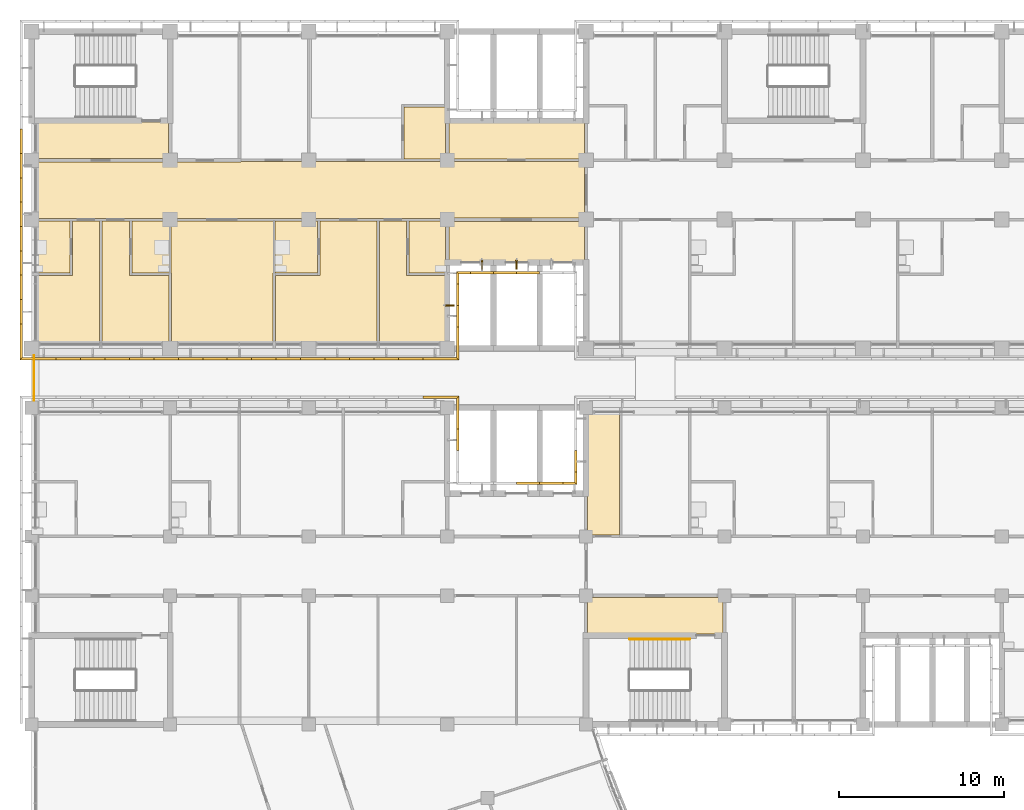
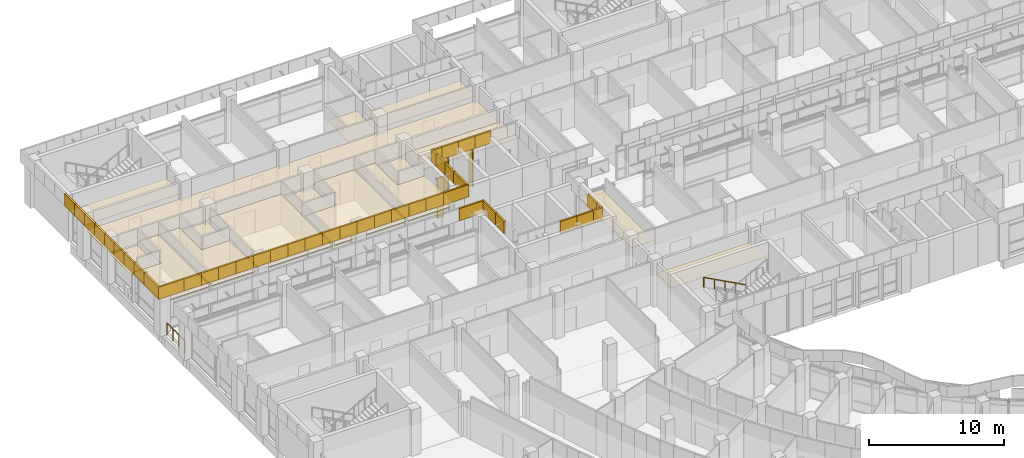
# One storey, part 125 of 137: 58 coverings, 3 shading devices, 2 railings.
"""IFC4 building model written with IfcOpenShell, lengths in metres."""

from ifc_helpers import new_model, si_unit, direction, frame, origin, origin_2d, place, context, subcontext, project, spatial, polyline, rectangle, circle, outline, extrude, material, layer, layer_set, material_profile, profile_set, type_object, element, save


model = new_model("IFC4")

# Units and contexts
model_context = context("Model", 3, precision=1e-05, world=origin(), true_north=direction((0.0, 1.0)))
body_context = subcontext(model_context, "Body", "Model", "MODEL_VIEW")
ifc_project = project(units=[si_unit("LENGTHUNIT", "METRE"), si_unit("AREAUNIT", "SQUARE_METRE"), si_unit("VOLUMEUNIT", "CUBIC_METRE"), si_unit("PLANEANGLEUNIT", "RADIAN"), si_unit("MASSUNIT", "GRAM", prefix="KILO")], contexts=[model_context])

# Site, building, storey
site_placement = place(None, origin())
site = spatial("IfcSite", under=ifc_project, at=site_placement, CompositionType="ELEMENT")
building_placement = place(site_placement, origin())
building = spatial("IfcBuilding", under=site, at=building_placement, Name="Bougainvillea Quay General Hospital", CompositionType="ELEMENT")
storey_placement = place(building_placement, frame((0.0, 0.0, 16.800048828125)))
storey = spatial("IfcBuildingStorey", under=building, at=storey_placement, Name="L03", CompositionType="ELEMENT", Elevation=16.800048828125)

# Coverings
ifc_material_1 = material(Name="Powder-coated aluminium fascia, white", Category="aluminium")
ifc_layer_1 = layer(ifc_material_1, 0.14990234375)
ifc_layer_set_1 = layer_set([ifc_layer_1], Name="Powder-coated aluminium fascia, white")
covering_type_1 = type_object("IfcCoveringType", Name="Aluminium fascia band white 150x1100", PredefinedType="CLADDING", material=ifc_layer_set_1)
covering_1_placement = place(storey_placement, frame((41.449951171875, 153.6923828125, 3.64990234375), z_axis=(0.0, 0.0, 1.0), x_axis=(0.0, -1.0, 0.0)))
element("IfcCovering", 1, at=covering_1_placement, inside=storey, type_object=covering_type_1, Name="Fascia band white e0 170", PredefinedType="CLADDING", context=body_context, shape_type="SweptSolid", body=[
    extrude(outline(polyline([(0.0, 0.0), (1.47705078125, 0.0), (1.47705078125, -0.14990234375), (0.0, -0.14990234375), (0.0, 0.0)])), origin(), (0.0, 0.0, 1.0), 1.10009765625),
])
covering_2_placement = place(storey_placement, frame((41.449951171875, 152.21533203125, 3.64990234375), z_axis=(0.0, 0.0, 1.0), x_axis=(0.0, -1.0, 0.0)))
element("IfcCovering", 2, at=covering_2_placement, inside=storey, type_object=covering_type_1, Name="Fascia band white e0 171", PredefinedType="CLADDING", context=body_context, shape_type="SweptSolid", body=[
    extrude(outline(polyline([(0.0, 0.0), (1.476806640625, 0.0), (1.476806640625, -0.14990234375), (0.0, -0.14990234375), (0.0, 0.0)])), origin(), (0.0, 0.0, 1.0), 1.10009765625),
])
covering_3_placement = place(storey_placement, frame((41.449951171875, 150.738525390625, 3.64990234375), z_axis=(0.0, 0.0, 1.0), x_axis=(0.0, -1.0, 0.0)))
element("IfcCovering", 3, at=covering_3_placement, inside=storey, type_object=covering_type_1, Name="Fascia band white e0 172", PredefinedType="CLADDING", context=body_context, shape_type="SweptSolid", body=[
    extrude(outline(polyline([(0.0, 0.0), (1.47705078125, 0.0), (1.47705078125, -0.14990234375), (0.0, -0.14990234375), (0.0, 0.0)])), origin(), (0.0, 0.0, 1.0), 1.10009765625),
])
covering_4_placement = place(storey_placement, frame((41.449951171875, 149.261474609375, 3.64990234375), z_axis=(0.0, 0.0, 1.0), x_axis=(0.0, -1.0, 0.0)))
element("IfcCovering", 4, at=covering_4_placement, inside=storey, type_object=covering_type_1, Name="Fascia band white e0 173", PredefinedType="CLADDING", context=body_context, shape_type="SweptSolid", body=[
    extrude(outline(polyline([(0.0, 0.0), (1.476806640625, 0.0), (1.476806640625, -0.14990234375), (0.0, -0.14990234375), (0.0, 0.0)])), origin(), (0.0, 0.0, 1.0), 1.10009765625),
])
covering_5_placement = place(storey_placement, frame((41.449951171875, 147.78466796875, 3.64990234375), z_axis=(0.0, 0.0, 1.0), x_axis=(0.0, -1.0, 0.0)))
element("IfcCovering", 5, at=covering_5_placement, inside=storey, type_object=covering_type_1, Name="Fascia band white e0 174", PredefinedType="CLADDING", context=body_context, shape_type="SweptSolid", body=[
    extrude(outline(polyline([(0.0, 0.0), (1.47705078125, 0.0), (1.47705078125, -0.14990234375), (0.0, -0.14990234375), (0.0, 0.0)])), origin(), (0.0, 0.0, 1.0), 1.10009765625),
])
covering_6_placement = place(storey_placement, frame((41.449951171875, 146.3076171875, 3.64990234375), z_axis=(0.0, 0.0, 1.0), x_axis=(0.0, -1.0, 0.0)))
element("IfcCovering", 6, at=covering_6_placement, inside=storey, type_object=covering_type_1, Name="Fascia band white e0 175", PredefinedType="CLADDING", context=body_context, shape_type="SweptSolid", body=[
    extrude(outline(polyline([(0.0, 0.0), (1.476806640625, 0.0), (1.476806640625, -0.14990234375), (0.0, -0.14990234375), (0.0, 0.0)])), origin(), (0.0, 0.0, 1.0), 1.10009765625),
])
covering_7_placement = place(storey_placement, frame((41.449951171875, 144.830810546875, 3.64990234375), z_axis=(0.0, 0.0, 1.0), x_axis=(0.0, -1.0, 0.0)))
element("IfcCovering", 7, at=covering_7_placement, inside=storey, type_object=covering_type_1, Name="Fascia band white e0 176", PredefinedType="CLADDING", context=body_context, shape_type="SweptSolid", body=[
    extrude(outline(polyline([(0.0, 0.0), (1.47705078125, 0.0), (1.47705078125, -0.14990234375), (0.0, -0.14990234375), (0.0, 0.0)])), origin(), (0.0, 0.0, 1.0), 1.10009765625),
])
covering_8_placement = place(storey_placement, frame((41.449951171875, 143.353759765625, 3.64990234375), z_axis=(0.0, 0.0, 1.0), x_axis=(0.0, -1.0, 0.0)))
element("IfcCovering", 8, at=covering_8_placement, inside=storey, type_object=covering_type_1, Name="Fascia band white e0 177", PredefinedType="CLADDING", context=body_context, shape_type="SweptSolid", body=[
    extrude(outline(polyline([(0.0, 0.0), (1.476806640625, 0.0), (1.476806640625, -0.14990234375), (0.0, -0.14990234375), (0.0, 0.0)])), origin(), (0.0, 0.0, 1.0), 1.10009765625),
])
covering_9_placement = place(storey_placement, frame((41.449951171875, 141.876953125, 3.64990234375), z_axis=(0.0, 0.0, 1.0), x_axis=(0.0, -1.0, 0.0)))
element("IfcCovering", 9, at=covering_9_placement, inside=storey, type_object=covering_type_1, Name="Fascia band white e0 178", PredefinedType="CLADDING", context=body_context, shape_type="SweptSolid", body=[
    extrude(outline(polyline([(0.0, 0.0), (2.02685546875, 0.0), (2.177001953125, -0.14990234375), (0.0, -0.14990234375), (0.0, 0.0)])), origin(), (0.0, 0.0, 1.0), 1.10009765625),
])
covering_10_placement = place(storey_placement, frame((41.449951171875, 139.85009765625, 3.64990234375), z_axis=(0.0, 0.0, 1.0), x_axis=(1.0, 0.0, 0.0)))
element("IfcCovering", 10, at=covering_10_placement, inside=storey, type_object=covering_type_1, Name="Fascia band white e0 179", PredefinedType="CLADDING", context=body_context, shape_type="SweptSolid", body=[
    extrude(outline(polyline([(0.0, 0.0), (2.032470703125, 0.0), (2.032470703125, -0.150146484375), (-0.14990234375, -0.150146484375), (0.0, 0.0)])), origin(), (0.0, 0.0, 1.0), 1.10009765625),
])
covering_11_placement = place(storey_placement, frame((43.482421875, 139.85009765625, 3.64990234375), z_axis=(0.0, 0.0, 1.0), x_axis=(1.0, 0.0, 0.0)))
element("IfcCovering", 11, at=covering_11_placement, inside=storey, type_object=covering_type_1, Name="Fascia band white e0 180", PredefinedType="CLADDING", context=body_context, shape_type="SweptSolid", body=[
    extrude(outline(polyline([(0.0, 0.0), (1.482177734375, 0.0), (1.482177734375, -0.150146484375), (0.0, -0.150146484375), (0.0, 0.0)])), origin(), (0.0, 0.0, 1.0), 1.10009765625),
])
for number, where, z_axis, x_axis, name in (
    (12, (44.964599609375, 139.85009765625, 3.64990234375), (0.0, 0.0, 1.0), (1.0, 0.0, 0.0), "Fascia band white e0 181"),
    (13, (46.447021484375, 139.85009765625, 3.64990234375), (0.0, 0.0, 1.0), (1.0, 0.0, 0.0), "Fascia band white e0 182"),
    (14, (47.929443359375, 139.85009765625, 3.64990234375), (0.0, 0.0, 1.0), (1.0, 0.0, 0.0), "Fascia band white e0 183"),
):
    element("IfcCovering", number, at=place(storey_placement, frame(where, z_axis=z_axis, x_axis=x_axis)), inside=storey, type_object=covering_type_1, Name=name, PredefinedType="CLADDING", context=body_context, shape_type="SweptSolid", body=[
        extrude(outline(polyline([(0.0, 0.0), (1.482421875, 0.0), (1.482421875, -0.150146484375), (0.0, -0.150146484375), (0.0, 0.0)])), origin(), (0.0, 0.0, 1.0), 1.10009765625),
    ])
covering_12_placement = place(storey_placement, frame((49.411865234375, 139.85009765625, 3.64990234375), z_axis=(0.0, 0.0, 1.0), x_axis=(1.0, 0.0, 0.0)))
element("IfcCovering", 15, at=covering_12_placement, inside=storey, type_object=covering_type_1, Name="Fascia band white e0 184", PredefinedType="CLADDING", context=body_context, shape_type="SweptSolid", body=[
    extrude(outline(polyline([(0.0, 0.0), (1.482177734375, 0.0), (1.482177734375, -0.150146484375), (0.0, -0.150146484375), (0.0, 0.0)])), origin(), (0.0, 0.0, 1.0), 1.10009765625),
])
for number, where, z_axis, x_axis, name in (
    (16, (50.89404296875, 139.85009765625, 3.64990234375), (0.0, 0.0, 1.0), (1.0, 0.0, 0.0), "Fascia band white e0 185"),
    (17, (52.37646484375, 139.85009765625, 3.64990234375), (0.0, 0.0, 1.0), (1.0, 0.0, 0.0), "Fascia band white e0 186"),
):
    element("IfcCovering", number, at=place(storey_placement, frame(where, z_axis=z_axis, x_axis=x_axis)), inside=storey, type_object=covering_type_1, Name=name, PredefinedType="CLADDING", context=body_context, shape_type="SweptSolid", body=[
        extrude(outline(polyline([(0.0, 0.0), (1.482421875, 0.0), (1.482421875, -0.150146484375), (0.0, -0.150146484375), (0.0, 0.0)])), origin(), (0.0, 0.0, 1.0), 1.10009765625),
    ])
covering_13_placement = place(storey_placement, frame((53.85888671875, 139.85009765625, 3.64990234375), z_axis=(0.0, 0.0, 1.0), x_axis=(1.0, 0.0, 0.0)))
element("IfcCovering", 18, at=covering_13_placement, inside=storey, type_object=covering_type_1, Name="Fascia band white e0 187", PredefinedType="CLADDING", context=body_context, shape_type="SweptSolid", body=[
    extrude(outline(polyline([(0.0, 0.0), (1.482177734375, 0.0), (1.482177734375, -0.150146484375), (0.0, -0.150146484375), (0.0, 0.0)])), origin(), (0.0, 0.0, 1.0), 1.10009765625),
])
for number, where, z_axis, x_axis, name in (
    (19, (55.341064453125, 139.85009765625, 3.64990234375), (0.0, 0.0, 1.0), (1.0, 0.0, 0.0), "Fascia band white e0 188"),
    (20, (56.823486328125, 139.85009765625, 3.64990234375), (0.0, 0.0, 1.0), (1.0, 0.0, 0.0), "Fascia band white e0 189"),
    (21, (58.305908203125, 139.85009765625, 3.64990234375), (0.0, 0.0, 1.0), (1.0, 0.0, 0.0), "Fascia band white e0 190"),
):
    element("IfcCovering", number, at=place(storey_placement, frame(where, z_axis=z_axis, x_axis=x_axis)), inside=storey, type_object=covering_type_1, Name=name, PredefinedType="CLADDING", context=body_context, shape_type="SweptSolid", body=[
        extrude(outline(polyline([(0.0, 0.0), (1.482421875, 0.0), (1.482421875, -0.150146484375), (0.0, -0.150146484375), (0.0, 0.0)])), origin(), (0.0, 0.0, 1.0), 1.10009765625),
    ])
covering_14_placement = place(storey_placement, frame((59.788330078125, 139.85009765625, 3.64990234375), z_axis=(0.0, 0.0, 1.0), x_axis=(1.0, 0.0, 0.0)))
element("IfcCovering", 22, at=covering_14_placement, inside=storey, type_object=covering_type_1, Name="Fascia band white e0 191", PredefinedType="CLADDING", context=body_context, shape_type="SweptSolid", body=[
    extrude(outline(polyline([(0.0, 0.0), (1.482177734375, 0.0), (1.482177734375, -0.150146484375), (0.0, -0.150146484375), (0.0, 0.0)])), origin(), (0.0, 0.0, 1.0), 1.10009765625),
])
for number, where, z_axis, x_axis, name in (
    (23, (61.2705078125, 139.85009765625, 3.64990234375), (0.0, 0.0, 1.0), (1.0, 0.0, 0.0), "Fascia band white e0 192"),
    (24, (62.7529296875, 139.85009765625, 3.64990234375), (0.0, 0.0, 1.0), (1.0, 0.0, 0.0), "Fascia band white e0 193"),
):
    element("IfcCovering", number, at=place(storey_placement, frame(where, z_axis=z_axis, x_axis=x_axis)), inside=storey, type_object=covering_type_1, Name=name, PredefinedType="CLADDING", context=body_context, shape_type="SweptSolid", body=[
        extrude(outline(polyline([(0.0, 0.0), (1.482421875, 0.0), (1.482421875, -0.150146484375), (0.0, -0.150146484375), (0.0, 0.0)])), origin(), (0.0, 0.0, 1.0), 1.10009765625),
    ])
covering_15_placement = place(storey_placement, frame((64.2353515625, 139.85009765625, 3.64990234375), z_axis=(0.0, 0.0, 1.0), x_axis=(1.0, 0.0, 0.0)))
element("IfcCovering", 25, at=covering_15_placement, inside=storey, type_object=covering_type_1, Name="Fascia band white e0 194", PredefinedType="CLADDING", context=body_context, shape_type="SweptSolid", body=[
    extrude(outline(polyline([(0.0, 0.0), (1.482177734375, 0.0), (1.482177734375, -0.150146484375), (0.0, -0.150146484375), (0.0, 0.0)])), origin(), (0.0, 0.0, 1.0), 1.10009765625),
])
covering_16_placement = place(storey_placement, frame((65.717529296875, 139.85009765625, 3.64990234375), z_axis=(0.0, 0.0, 1.0), x_axis=(1.0, 0.0, 0.0)))
element("IfcCovering", 26, at=covering_16_placement, inside=storey, type_object=covering_type_1, Name="Fascia band white e0 195", PredefinedType="CLADDING", context=body_context, shape_type="SweptSolid", body=[
    extrude(outline(polyline([(0.0, 0.0), (2.032470703125, 0.0), (2.182373046875, -0.150146484375), (0.0, -0.150146484375), (0.0, 0.0)])), origin(), (0.0, 0.0, 1.0), 1.10009765625),
])
covering_17_placement = place(storey_placement, frame((67.75, 139.85009765625, 3.64990234375), z_axis=(0.0, 0.0, 1.0), x_axis=(0.0, 1.0, 0.0)))
element("IfcCovering", 27, at=covering_17_placement, inside=storey, type_object=covering_type_1, Name="Fascia band white e0 196", PredefinedType="CLADDING", context=body_context, shape_type="SweptSolid", body=[
    extrude(outline(polyline([(0.0, 0.0), (1.849853515625, 0.0), (1.849853515625, -0.14990234375), (-0.150146484375, -0.14990234375), (0.0, 0.0)])), origin(), (0.0, 0.0, 1.0), 1.10009765625),
])
for number, where, z_axis, x_axis, name in (
    (28, (67.75, 141.699951171875, 3.64990234375), (0.0, 0.0, 1.0), (0.0, 1.0, 0.0), "Fascia band white e0 197"),
    (29, (67.75, 143.0, 3.64990234375), (0.0, 0.0, 1.0), (0.0, 1.0, 0.0), "Fascia band white e0 198"),
):
    element("IfcCovering", number, at=place(storey_placement, frame(where, z_axis=z_axis, x_axis=x_axis)), inside=storey, type_object=covering_type_1, Name=name, PredefinedType="CLADDING", context=body_context, shape_type="SweptSolid", body=[
        extrude(outline(polyline([(0.0, 0.0), (1.300048828125, 0.0), (1.300048828125, -0.14990234375), (0.0, -0.14990234375), (0.0, 0.0)])), origin(), (0.0, 0.0, 1.0), 1.10009765625),
    ])
covering_18_placement = place(storey_placement, frame((67.75, 144.300048828125, 3.64990234375), z_axis=(0.0, 0.0, 1.0), x_axis=(0.0, 1.0, 0.0)))
element("IfcCovering", 30, at=covering_18_placement, inside=storey, type_object=covering_type_1, Name="Fascia band white e0 199", PredefinedType="CLADDING", context=body_context, shape_type="SweptSolid", body=[
    extrude(outline(polyline([(0.0, 0.0), (0.75, 0.0), (0.599853515625, -0.14990234375), (0.0, -0.14990234375), (0.0, 0.0)])), origin(), (0.0, 0.0, 1.0), 1.10009765625),
])
covering_19_placement = place(storey_placement, frame((67.75, 145.050048828125, 3.64990234375), z_axis=(0.0, 0.0, 1.0), x_axis=(1.0, 0.0, 0.0)))
element("IfcCovering", 31, at=covering_19_placement, inside=storey, type_object=covering_type_1, Name="Fascia band white e0 200", PredefinedType="CLADDING", context=body_context, shape_type="SweptSolid", body=[
    extrude(outline(polyline([(0.0, 0.0), (0.85009765625, 0.0), (0.85009765625, -0.150146484375), (0.14990234375, -0.150146484375), (0.0, 0.0)])), origin(), (0.0, 0.0, 1.0), 1.10009765625),
])
for number, where, z_axis, x_axis, name in (
    (32, (68.60009765625, 145.050048828125, 3.64990234375), (0.0, 0.0, 1.0), (1.0, 0.0, 0.0), "Fascia band white e0 201"),
    (33, (70.0, 145.050048828125, 3.64990234375), (0.0, 0.0, 1.0), (1.0, 0.0, 0.0), "Fascia band white e0 202"),
):
    element("IfcCovering", number, at=place(storey_placement, frame(where, z_axis=z_axis, x_axis=x_axis)), inside=storey, type_object=covering_type_1, Name=name, PredefinedType="CLADDING", context=body_context, shape_type="SweptSolid", body=[
        extrude(outline(polyline([(0.0, 0.0), (1.39990234375, 0.0), (1.39990234375, -0.150146484375), (0.0, -0.150146484375), (0.0, 0.0)])), origin(), (0.0, 0.0, 1.0), 1.10009765625),
    ])
covering_20_placement = place(storey_placement, frame((71.39990234375, 145.050048828125, 3.64990234375), z_axis=(0.0, 0.0, 1.0), x_axis=(1.0, 0.0, 0.0)))
element("IfcCovering", 34, at=covering_20_placement, inside=storey, type_object=covering_type_1, Name="Fascia band white e0 203", PredefinedType="CLADDING", context=body_context, shape_type="SweptSolid", body=[
    extrude(outline(polyline([(0.0, 0.0), (1.400146484375, 0.0), (1.400146484375, -0.150146484375), (0.0, -0.150146484375), (0.0, 0.0)])), origin(), (0.0, 0.0, 1.0), 1.10009765625),
])
covering_21_placement = place(storey_placement, frame((75.050048828125, 134.199951171875, 3.64990234375), z_axis=(0.0, 0.0, 1.0), x_axis=(0.0, -1.0, 0.0)))
element("IfcCovering", 35, at=covering_21_placement, inside=storey, type_object=covering_type_1, Name="Fascia band white e0 5", PredefinedType="CLADDING", context=body_context, shape_type="SweptSolid", body=[
    extrude(outline(polyline([(0.0, 0.0), (1.300048828125, 0.0), (1.300048828125, -0.150146484375), (0.0, -0.150146484375), (0.0, 0.0)])), origin(), (0.0, 0.0, 1.0), 1.10009765625),
])
covering_22_placement = place(storey_placement, frame((75.050048828125, 132.89990234375, 3.64990234375), z_axis=(0.0, 0.0, 1.0), x_axis=(0.0, -1.0, 0.0)))
element("IfcCovering", 36, at=covering_22_placement, inside=storey, type_object=covering_type_1, Name="Fascia band white e0 6", PredefinedType="CLADDING", context=body_context, shape_type="SweptSolid", body=[
    extrude(outline(polyline([(0.0, 0.0), (0.75, 0.0), (0.599853515625, -0.150146484375), (0.0, -0.150146484375), (0.0, 0.0)])), origin(), (0.0, 0.0, 1.0), 1.10009765625),
])
covering_23_placement = place(storey_placement, frame((75.050048828125, 132.14990234375, 3.64990234375), z_axis=(0.0, 0.0, 1.0), x_axis=(-1.0, 0.0, 0.0)))
element("IfcCovering", 37, at=covering_23_placement, inside=storey, type_object=covering_type_1, Name="Fascia band white e0 7", PredefinedType="CLADDING", context=body_context, shape_type="SweptSolid", body=[
    extrude(outline(polyline([(0.0, 0.0), (0.85009765625, 0.0), (0.85009765625, -0.150146484375), (0.150146484375, -0.150146484375), (0.0, 0.0)])), origin(), (0.0, 0.0, 1.0), 1.10009765625),
])
covering_24_placement = place(storey_placement, frame((74.199951171875, 132.14990234375, 3.64990234375), z_axis=(0.0, 0.0, 1.0), x_axis=(-1.0, 0.0, 0.0)))
element("IfcCovering", 38, at=covering_24_placement, inside=storey, type_object=covering_type_1, Name="Fascia band white e0 8", PredefinedType="CLADDING", context=body_context, shape_type="SweptSolid", body=[
    extrude(outline(polyline([(0.0, 0.0), (1.39990234375, 0.0), (1.39990234375, -0.150146484375), (0.0, -0.150146484375), (0.0, 0.0)])), origin(), (0.0, 0.0, 1.0), 1.10009765625),
])
covering_25_placement = place(storey_placement, frame((72.800048828125, 132.14990234375, 3.64990234375), z_axis=(0.0, 0.0, 1.0), x_axis=(-1.0, 0.0, 0.0)))
element("IfcCovering", 39, at=covering_25_placement, inside=storey, type_object=covering_type_1, Name="Fascia band white e0 9", PredefinedType="CLADDING", context=body_context, shape_type="SweptSolid", body=[
    extrude(outline(polyline([(0.0, 0.0), (1.400146484375, 0.0), (1.400146484375, -0.150146484375), (0.0, -0.150146484375), (0.0, 0.0)])), origin(), (0.0, 0.0, 1.0), 1.10009765625),
])
covering_26_placement = place(storey_placement, frame((67.75, 134.199951171875, 3.64990234375), z_axis=(0.0, 0.0, 1.0), x_axis=(0.0, 1.0, 0.0)))
element("IfcCovering", 40, at=covering_26_placement, inside=storey, type_object=covering_type_1, Name="Fascia band white e0 15", PredefinedType="CLADDING", context=body_context, shape_type="SweptSolid", body=[
    extrude(outline(polyline([(0.0, 0.0), (1.300048828125, 0.0), (1.300048828125, -0.14990234375), (0.0, -0.14990234375), (0.0, 0.0)])), origin(), (0.0, 0.0, 1.0), 1.10009765625),
])
covering_27_placement = place(storey_placement, frame((67.75, 135.5, 3.64990234375), z_axis=(0.0, 0.0, 1.0), x_axis=(0.0, 1.0, 0.0)))
element("IfcCovering", 41, at=covering_27_placement, inside=storey, type_object=covering_type_1, Name="Fascia band white e0 16", PredefinedType="CLADDING", context=body_context, shape_type="SweptSolid", body=[
    extrude(outline(polyline([(0.0, 0.0), (1.85009765625, 0.0), (2.0, -0.14990234375), (0.0, -0.14990234375), (0.0, 0.0)])), origin(), (0.0, 0.0, 1.0), 1.10009765625),
])
covering_28_placement = place(storey_placement, frame((67.75, 137.35009765625, 3.64990234375), z_axis=(0.0, 0.0, 1.0), x_axis=(-1.0, 0.0, 0.0)))
element("IfcCovering", 42, at=covering_28_placement, inside=storey, type_object=covering_type_1, Name="Fascia band white e0 17", PredefinedType="CLADDING", context=body_context, shape_type="SweptSolid", body=[
    extrude(outline(polyline([(0.0, 0.0), (2.032470703125, 0.0), (2.032470703125, -0.14990234375), (-0.14990234375, -0.14990234375), (0.0, 0.0)])), origin(), (0.0, 0.0, 1.0), 1.10009765625),
])

# Railings
ifc_material_2 = material(Name="Stainless steel guard, brushed grade 316", Category="steel")
railing_type_1 = type_object("IfcRailingType", Name="Stainless steel guard 1100", PredefinedType="GUARDRAIL", material=ifc_material_2)
railing_1_placement = place(storey_placement, frame((42.14990234375, 137.25, 0.0)))
element("IfcRailing", 43, at=railing_1_placement, inside=storey, type_object=railing_type_1, Name="Guard G01", PredefinedType="GUARDRAIL", context=body_context, shape_type="SweptSolid", body=[
    extrude(circle(Radius=0.02392578125, at=origin_2d()), frame((0.0, 0.0, 1.076171875), z_axis=(0.0, 1.0, 0.0), x_axis=(-1.0, 0.0, 0.0)), (0.0, 0.0, 1.0), 2.699951171875),
    extrude(circle(Radius=0.02099609375, at=origin_2d()), origin(), (0.0, 0.0, 1.0), 1.052001953125),
    extrude(circle(Radius=0.02099609375, at=origin_2d()), frame((0.0, 0.89990234375, 0.0)), (0.0, 0.0, 1.0), 1.052001953125),
    extrude(circle(Radius=0.02099609375, at=origin_2d()), frame((0.0, 1.800048828125, 0.0)), (0.0, 0.0, 1.0), 1.052001953125),
    extrude(circle(Radius=0.02099609375, at=origin_2d()), frame((0.0, 2.699951171875, 0.0)), (0.0, 0.0, 1.0), 1.052001953125),
])
ifc_material_3 = material(Name="Stainless steel 304 handrail", Category="steel")
railing_type_2 = type_object("IfcRailingType", Name="Stair handrail 900", PredefinedType="HANDRAIL", material=ifc_material_3)
railing_2_placement = place(storey_placement, frame((81.89990234375, 122.77490234375, 0.14990234375)))
element("IfcRailing", 44, at=railing_2_placement, inside=storey, type_object=railing_type_2, Name="L03 ST-B2 stair handrail 1", PredefinedType="HANDRAIL", context=body_context, shape_type="SweptSolid", body=[
    extrude(circle(Radius=0.02392578125, at=origin_2d()), frame((0.0, 0.0, 0.8759765625), z_axis=(-0.881479091078, 0.0, 0.472223053219), x_axis=(0.0, -1.0, 0.0)), (0.0, 0.0, 1.0), 4.12939453125),
    extrude(circle(Radius=0.02099609375, at=origin_2d()), origin(), (0.0, 0.0, 1.0), 0.851806640625),
    extrude(circle(Radius=0.02099609375, at=origin_2d()), frame((-0.909912109375, 0.0, 0.487548828125)), (0.0, 0.0, 1.0), 0.851806640625),
    extrude(circle(Radius=0.02099609375, at=origin_2d()), frame((-1.81982421875, 0.0, 0.97509765625)), (0.0, 0.0, 1.0), 0.851806640625),
    extrude(circle(Radius=0.02099609375, at=origin_2d()), frame((-2.72998046875, 0.0, 1.46240234375)), (0.0, 0.0, 1.0), 0.851806640625),
    extrude(circle(Radius=0.02099609375, at=origin_2d()), frame((-3.639892578125, 0.0, 1.949951171875)), (0.0, 0.0, 1.0), 0.851806640625),
])

# Coverings
ifc_material_4 = material(Name="Mineral fibre ceiling tile")
ifc_layer_2 = layer(ifc_material_4, 0.030029296875)
ifc_layer_set_2 = layer_set([ifc_layer_2], Name="Mineral fibre ceiling tile")
covering_type_2 = type_object("IfcCoveringType", Name="Suspended ceiling mineral fibre tile", PredefinedType="CEILING", material=ifc_layer_set_2)
covering_29_placement = place(storey_placement, frame((0.0, 0.0, 2.699951171875)))
element("IfcCovering", 45, at=covering_29_placement, inside=storey, type_object=covering_type_2, Name="Ceiling Lift Lobby LB-A1 (Fire-fighting)", PredefinedType="CEILING", context=body_context, shape_type="SweptSolid", body=[
    extrude(outline(polyline([(75.5, 145.60009765625), (75.5, 148.10009765625), (67.300048828125, 148.10009765625), (67.300048828125, 145.60009765625), (75.5, 145.60009765625)])), origin(), (0.0, 0.0, 1.0), 0.030029296875),
])
covering_30_placement = place(storey_placement, frame((0.0, 0.0, 2.699951171875)))
element("IfcCovering", 46, at=covering_30_placement, inside=storey, type_object=covering_type_2, Name="Ceiling Smoke-proof Vestibule ST-A1", PredefinedType="CEILING", context=body_context, shape_type="SweptSolid", body=[
    extrude(outline(polyline([(42.0, 151.89990234375), (50.300048828125, 151.89990234375), (50.300048828125, 154.10009765625), (42.0, 154.10009765625), (42.0, 151.89990234375)])), origin(), (0.0, 0.0, 1.0), 0.030029296875),
])
covering_31_placement = place(storey_placement, frame((0.0, 0.0, 2.699951171875)))
element("IfcCovering", 47, at=covering_31_placement, inside=storey, type_object=covering_type_2, Name="Ceiling Smoke-proof Vestibule ST-B2", PredefinedType="CEILING", context=body_context, shape_type="SweptSolid", body=[
    extrude(outline(polyline([(83.89990234375, 125.300048828125), (75.699951171875, 125.300048828125), (75.699951171875, 123.10009765625), (83.89990234375, 123.10009765625), (83.89990234375, 125.300048828125)])), origin(), (0.0, 0.0, 1.0), 0.030029296875),
])
covering_32_placement = place(storey_placement, frame((0.0, 0.0, 2.699951171875)))
element("IfcCovering", 48, at=covering_32_placement, inside=storey, type_object=covering_type_2, Name="Ceiling Postnatal Patient Room 03A01", PredefinedType="CEILING", context=body_context, shape_type="SweptSolid", body=[
    extrude(outline(polyline([(46.125, 140.39990234375), (46.125, 148.125), (44.47509765625, 148.125), (44.47509765625, 144.824951171875), (42.0, 144.824951171875), (42.0, 140.39990234375), (46.125, 140.39990234375)])), origin(), (0.0, 0.0, 1.0), 0.030029296875),
])
covering_33_placement = place(storey_placement, frame((0.0, 0.0, 2.39990234375)))
element("IfcCovering", 49, at=covering_33_placement, inside=storey, type_object=covering_type_2, Name="Ceiling En-suite 03A01", PredefinedType="CEILING", context=body_context, shape_type="SweptSolid", body=[
    extrude(outline(polyline([(42.0, 144.97509765625), (44.324951171875, 144.97509765625), (44.324951171875, 148.125), (42.0, 148.125), (42.0, 144.97509765625)])), origin(), (0.0, 0.0, 1.0), 0.030029296875),
])
covering_34_placement = place(storey_placement, frame((0.0, 0.0, 2.699951171875)))
element("IfcCovering", 50, at=covering_34_placement, inside=storey, type_object=covering_type_2, Name="Ceiling Postnatal Patient Room 03A02", PredefinedType="CEILING", context=body_context, shape_type="SweptSolid", body=[
    extrude(outline(polyline([(50.324951171875, 140.39990234375), (50.324951171875, 144.824951171875), (47.925048828125, 144.824951171875), (47.925048828125, 148.125), (46.27490234375, 148.125), (46.27490234375, 140.39990234375), (50.324951171875, 140.39990234375)])), origin(), (0.0, 0.0, 1.0), 0.030029296875),
])
covering_35_placement = place(storey_placement, frame((0.0, 0.0, 2.39990234375)))
element("IfcCovering", 51, at=covering_35_placement, inside=storey, type_object=covering_type_2, Name="Ceiling En-suite 03A02", PredefinedType="CEILING", context=body_context, shape_type="SweptSolid", body=[
    extrude(outline(polyline([(48.074951171875, 144.97509765625), (50.35009765625, 144.97509765625), (50.35009765625, 148.125), (48.074951171875, 148.125), (48.074951171875, 144.97509765625)])), origin(), (0.0, 0.0, 1.0), 0.030029296875),
])
covering_36_placement = place(storey_placement, frame((0.0, 0.0, 2.699951171875)))
element("IfcCovering", 52, at=covering_36_placement, inside=storey, type_object=covering_type_2, Name="Ceiling Nurses' Station 03A03", PredefinedType="CEILING", context=body_context, shape_type="SweptSolid", body=[
    extrude(outline(polyline([(56.625, 140.39990234375), (56.625, 144.97509765625), (56.64990234375, 144.97509765625), (56.64990234375, 148.125), (50.449951171875, 148.125), (50.449951171875, 144.97509765625), (50.47509765625, 144.97509765625), (50.47509765625, 140.39990234375), (56.625, 140.39990234375)])), origin(), (0.0, 0.0, 1.0), 0.030029296875),
])
covering_37_placement = place(storey_placement, frame((0.0, 0.0, 2.699951171875)))
element("IfcCovering", 53, at=covering_37_placement, inside=storey, type_object=covering_type_2, Name="Ceiling Two-bed Postnatal Room 03A04", PredefinedType="CEILING", context=body_context, shape_type="SweptSolid", body=[
    extrude(outline(polyline([(62.925048828125, 140.39990234375), (62.925048828125, 148.125), (59.47509765625, 148.125), (59.47509765625, 144.824951171875), (56.77490234375, 144.824951171875), (56.77490234375, 140.39990234375), (62.925048828125, 140.39990234375)])), origin(), (0.0, 0.0, 1.0), 0.030029296875),
])
covering_38_placement = place(storey_placement, frame((0.0, 0.0, 2.39990234375)))
element("IfcCovering", 54, at=covering_38_placement, inside=storey, type_object=covering_type_2, Name="Ceiling En-suite 03A04", PredefinedType="CEILING", context=body_context, shape_type="SweptSolid", body=[
    extrude(outline(polyline([(56.75, 144.97509765625), (59.324951171875, 144.97509765625), (59.324951171875, 148.125), (56.75, 148.125), (56.75, 144.97509765625)])), origin(), (0.0, 0.0, 1.0), 0.030029296875),
])
covering_39_placement = place(storey_placement, frame((0.0, 0.0, 2.699951171875)))
element("IfcCovering", 55, at=covering_39_placement, inside=storey, type_object=covering_type_2, Name="Ceiling Postnatal Patient Room 03A05", PredefinedType="CEILING", context=body_context, shape_type="SweptSolid", body=[
    extrude(outline(polyline([(67.199951171875, 140.39990234375), (67.199951171875, 144.824951171875), (64.72509765625, 144.824951171875), (64.72509765625, 148.125), (63.074951171875, 148.125), (63.074951171875, 140.39990234375), (67.199951171875, 140.39990234375)])), origin(), (0.0, 0.0, 1.0), 0.030029296875),
])
covering_40_placement = place(storey_placement, frame((0.0, 0.0, 2.39990234375)))
element("IfcCovering", 56, at=covering_40_placement, inside=storey, type_object=covering_type_2, Name="Ceiling En-suite 03A05", PredefinedType="CEILING", context=body_context, shape_type="SweptSolid", body=[
    extrude(outline(polyline([(67.199951171875, 145.60009765625), (67.10009765625, 145.60009765625), (67.10009765625, 148.125), (64.875, 148.125), (64.875, 144.97509765625), (67.199951171875, 144.97509765625), (67.199951171875, 145.60009765625)])), origin(), (0.0, 0.0, 1.0), 0.030029296875),
])
covering_41_placement = place(storey_placement, frame((0.0, 0.0, 2.39990234375)))
element("IfcCovering", 57, at=covering_41_placement, inside=storey, type_object=covering_type_2, Name="Ceiling En-suite 03A07", PredefinedType="CEILING", context=body_context, shape_type="SweptSolid", body=[
    extrude(outline(polyline([(67.199951171875, 155.02490234375), (64.574951171875, 155.02490234375), (64.574951171875, 151.875), (67.10009765625, 151.875), (67.10009765625, 154.199951171875), (67.199951171875, 154.199951171875), (67.199951171875, 155.02490234375)])), origin(), (0.0, 0.0, 1.0), 0.030029296875),
])
covering_42_placement = place(storey_placement, frame((0.0, 0.0, 2.39990234375)))
element("IfcCovering", 58, at=covering_42_placement, inside=storey, type_object=covering_type_2, Name="Ceiling Ward Corridor A1", PredefinedType="CEILING", context=body_context, shape_type="SweptSolid", body=[
    extrude(outline(polyline([(42.0, 148.27490234375), (67.10009765625, 148.27490234375), (67.10009765625, 148.300048828125), (75.5, 148.300048828125), (75.5, 151.72509765625), (54.699951171875, 151.72509765625), (54.699951171875, 151.699951171875), (42.0, 151.699951171875), (42.0, 148.27490234375)])), origin(), (0.0, 0.0, 1.0), 0.030029296875),
])
covering_43_placement = place(storey_placement, frame((0.0, 0.0, 2.699951171875)))
element("IfcCovering", 59, at=covering_43_placement, inside=storey, type_object=covering_type_2, Name="Ceiling Lift Machine Room A2", PredefinedType="CEILING", context=body_context, shape_type="SweptSolid", body=[
    extrude(outline(polyline([(67.300048828125, 154.199951171875), (67.300048828125, 151.875), (75.5, 151.875), (75.5, 154.199951171875), (67.300048828125, 154.199951171875)])), origin(), (0.0, 0.0, 1.0), 0.030029296875),
])
covering_44_placement = place(storey_placement, frame((0.0, 0.0, 2.699951171875)))
element("IfcCovering", 60, at=covering_44_placement, inside=storey, type_object=covering_type_2, Name="Ceiling Dirty Utility and Sluice Room 03B09", PredefinedType="CEILING", context=body_context, shape_type="SweptSolid", body=[
    extrude(outline(polyline([(75.60009765625, 131.60009765625), (75.699951171875, 131.60009765625), (75.699951171875, 129.074951171875), (77.625, 129.074951171875), (77.625, 136.800048828125), (75.60009765625, 136.800048828125), (75.60009765625, 131.60009765625)])), origin(), (0.0, 0.0, 1.0), 0.030029296875),
])

# Shading devices
ifc_material_5 = material(Name="Powder-coated aluminium fin, white", Category="aluminium")
ifc_material_profile = material_profile(ifc_material_5, rectangle(XDim=0.550048828125, YDim=0.10009765625, at=origin_2d()))
ifc_profile_set = profile_set([ifc_material_profile], Name="Powder-coated aluminium fin, white")
shading_device_type = type_object("IfcShadingDeviceType", Name="Vertical fin 550x100", PredefinedType="USERDEFINED", material=ifc_profile_set)
for number, where, z_axis, x_axis, name in (
    (61, (67.344970703125, 143.0, 0.0), (0.0, 0.0, 1.0), (1.0, 0.0, 0.0), "Vertical fin V5A L03 017.1"),
    (62, (71.39990234375, 145.455078125, 0.0), (0.0, 0.0, 1.0), (0.0, -1.0, 0.0), "Vertical fin V5A L03 018.2"),
    (63, (69.300048828125, 145.455078125, 0.0), (0.0, 0.0, 1.0), (0.0, -1.0, 0.0), "Vertical fin V5A L03 018.3"),
):
    element("IfcShadingDevice", number, at=place(storey_placement, frame(where, z_axis=z_axis, x_axis=x_axis)), inside=storey, type_object=shading_device_type, Name=name, ObjectType="Vertical fin", PredefinedType="USERDEFINED", context=body_context, shape_type="SweptSolid", body=[
        extrude(rectangle(XDim=0.550048828125, YDim=0.10009765625, at=origin_2d()), origin(), (0.0, 0.0, 1.0), 3.6298828125),
    ])

save(model, "model.ifc")
